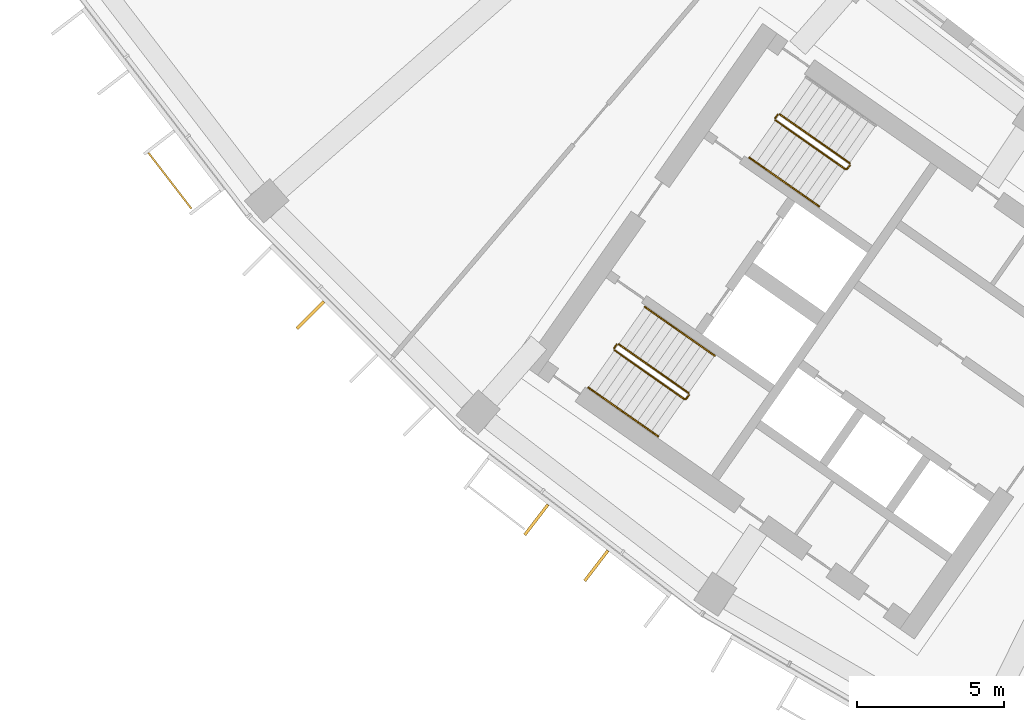
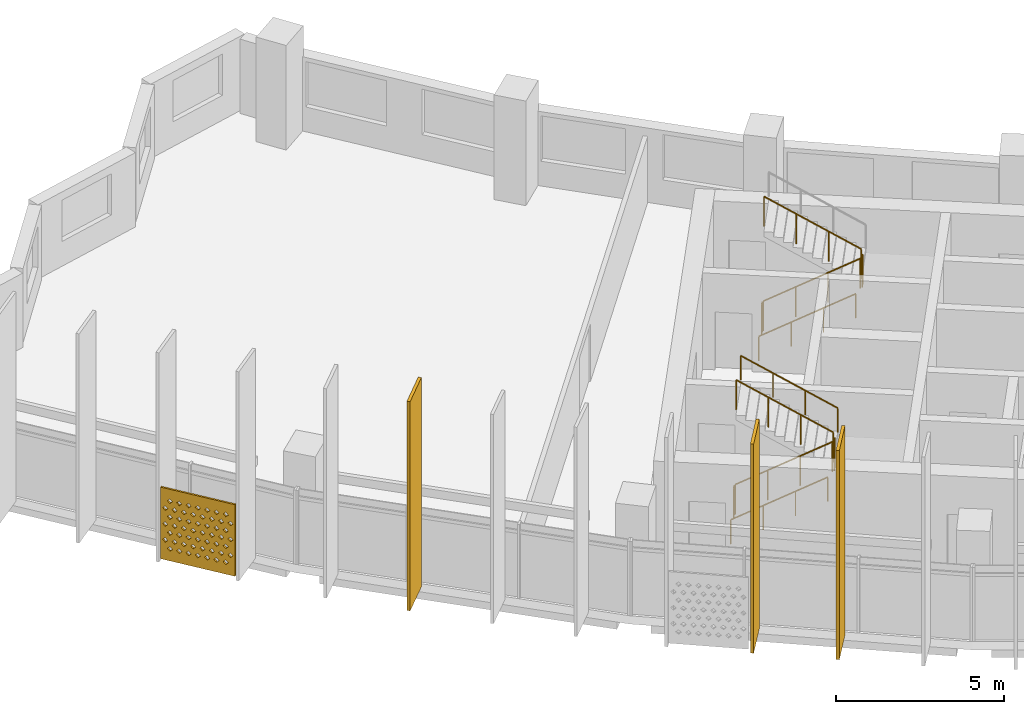
# One storey, part 23 of 28: 9 railings, 4 shading devices.
"""IFC4 building model written with IfcOpenShell, lengths in metres."""

from ifc_helpers import new_model, si_unit, direction, frame, origin, origin_2d, place, context, subcontext, project, spatial, polyline, rectangle, circle, outline, extrude, material, material_profile, profile_set, type_object, element, save


model = new_model("IFC4")

# Units and contexts
model_context = context("Model", 3, precision=1e-05, world=origin(), true_north=direction((0.0, 1.0)))
body_context = subcontext(model_context, "Body", "Model", "MODEL_VIEW")
ifc_project = project(units=[si_unit("LENGTHUNIT", "METRE"), si_unit("AREAUNIT", "SQUARE_METRE"), si_unit("VOLUMEUNIT", "CUBIC_METRE"), si_unit("PLANEANGLEUNIT", "RADIAN"), si_unit("MASSUNIT", "GRAM", prefix="KILO")], contexts=[model_context])

# Site, building, storey
site_placement = place(None, origin())
site = spatial("IfcSite", under=ifc_project, at=site_placement, CompositionType="ELEMENT")
building_placement = place(site_placement, origin())
building = spatial("IfcBuilding", under=site, at=building_placement, Name="Qamariyya Broadcast Tower", CompositionType="ELEMENT")
storey_placement = place(building_placement, frame((0.0, 0.0, 226.5)))
storey = spatial("IfcBuildingStorey", under=building, at=storey_placement, Name="L54", CompositionType="ELEMENT", Elevation=226.5)

# Shading device
ifc_material_1 = material(Name="Perforated glazed terracotta", Category="masonry")
ifc_material_profile_1 = material_profile(ifc_material_1, outline(polyline([(-1.199951171875, -1.300048828125), (1.199951171875, -1.300048828125), (1.199951171875, 1.300048828125), (-1.199951171875, 1.300048828125), (-1.199951171875, -1.300048828125)]), holes=[polyline([(-0.81494140625, -0.86669921875), (-0.89990234375, -0.78173828125), (-0.985107421875, -0.86669921875), (-0.89990234375, -0.95166015625), (-0.81494140625, -0.86669921875)]), polyline([(-0.514892578125, -0.86669921875), (-0.60009765625, -0.78173828125), (-0.68505859375, -0.86669921875), (-0.60009765625, -0.95166015625), (-0.514892578125, -0.86669921875)]), polyline([(-0.215087890625, -0.86669921875), (-0.300048828125, -0.78173828125), (-0.385009765625, -0.86669921875), (-0.300048828125, -0.95166015625), (-0.215087890625, -0.86669921875)]), polyline([(0.0849609375, -0.86669921875), (0.0, -0.78173828125), (-0.0849609375, -0.86669921875), (0.0, -0.95166015625), (0.0849609375, -0.86669921875)]), polyline([(0.385009765625, -0.86669921875), (0.300048828125, -0.78173828125), (0.215087890625, -0.86669921875), (0.300048828125, -0.95166015625), (0.385009765625, -0.86669921875)]), polyline([(0.68505859375, -0.86669921875), (0.60009765625, -0.78173828125), (0.514892578125, -0.86669921875), (0.60009765625, -0.95166015625), (0.68505859375, -0.86669921875)]), polyline([(0.985107421875, -0.86669921875), (0.89990234375, -0.78173828125), (0.81494140625, -0.86669921875), (0.89990234375, -0.95166015625), (0.985107421875, -0.86669921875)]), polyline([(-0.965087890625, -0.577880859375), (-1.050048828125, -0.49267578125), (-1.135009765625, -0.577880859375), (-1.050048828125, -0.662841796875), (-0.965087890625, -0.577880859375)]), polyline([(-0.6650390625, -0.577880859375), (-0.75, -0.49267578125), (-0.8349609375, -0.577880859375), (-0.75, -0.662841796875), (-0.6650390625, -0.577880859375)]), polyline([(-0.364990234375, -0.577880859375), (-0.449951171875, -0.49267578125), (-0.534912109375, -0.577880859375), (-0.449951171875, -0.662841796875), (-0.364990234375, -0.577880859375)]), polyline([(-0.06494140625, -0.577880859375), (-0.14990234375, -0.49267578125), (-0.235107421875, -0.577880859375), (-0.14990234375, -0.662841796875), (-0.06494140625, -0.577880859375)]), polyline([(0.235107421875, -0.577880859375), (0.14990234375, -0.49267578125), (0.06494140625, -0.577880859375), (0.14990234375, -0.662841796875), (0.235107421875, -0.577880859375)]), polyline([(0.534912109375, -0.577880859375), (0.449951171875, -0.49267578125), (0.364990234375, -0.577880859375), (0.449951171875, -0.662841796875), (0.534912109375, -0.577880859375)]), polyline([(0.8349609375, -0.577880859375), (0.75, -0.49267578125), (0.6650390625, -0.577880859375), (0.75, -0.662841796875), (0.8349609375, -0.577880859375)]), polyline([(1.135009765625, -0.577880859375), (1.050048828125, -0.49267578125), (0.965087890625, -0.577880859375), (1.050048828125, -0.662841796875), (1.135009765625, -0.577880859375)]), polyline([(-0.81494140625, -0.288818359375), (-0.89990234375, -0.203857421875), (-0.985107421875, -0.288818359375), (-0.89990234375, -0.373779296875), (-0.81494140625, -0.288818359375)]), polyline([(-0.514892578125, -0.288818359375), (-0.60009765625, -0.203857421875), (-0.68505859375, -0.288818359375), (-0.60009765625, -0.373779296875), (-0.514892578125, -0.288818359375)]), polyline([(-0.215087890625, -0.288818359375), (-0.300048828125, -0.203857421875), (-0.385009765625, -0.288818359375), (-0.300048828125, -0.373779296875), (-0.215087890625, -0.288818359375)]), polyline([(0.0849609375, -0.288818359375), (0.0, -0.203857421875), (-0.0849609375, -0.288818359375), (0.0, -0.373779296875), (0.0849609375, -0.288818359375)]), polyline([(0.385009765625, -0.288818359375), (0.300048828125, -0.203857421875), (0.215087890625, -0.288818359375), (0.300048828125, -0.373779296875), (0.385009765625, -0.288818359375)]), polyline([(0.68505859375, -0.288818359375), (0.60009765625, -0.203857421875), (0.514892578125, -0.288818359375), (0.60009765625, -0.373779296875), (0.68505859375, -0.288818359375)]), polyline([(0.985107421875, -0.288818359375), (0.89990234375, -0.203857421875), (0.81494140625, -0.288818359375), (0.89990234375, -0.373779296875), (0.985107421875, -0.288818359375)]), polyline([(-0.965087890625, 0.0), (-1.050048828125, 0.0849609375), (-1.135009765625, 0.0), (-1.050048828125, -0.0849609375), (-0.965087890625, 0.0)]), polyline([(-0.6650390625, 0.0), (-0.75, 0.0849609375), (-0.8349609375, 0.0), (-0.75, -0.0849609375), (-0.6650390625, 0.0)]), polyline([(-0.364990234375, 0.0), (-0.449951171875, 0.0849609375), (-0.534912109375, 0.0), (-0.449951171875, -0.0849609375), (-0.364990234375, 0.0)]), polyline([(-0.06494140625, 0.0), (-0.14990234375, 0.0849609375), (-0.235107421875, 0.0), (-0.14990234375, -0.0849609375), (-0.06494140625, 0.0)]), polyline([(0.235107421875, 0.0), (0.14990234375, 0.0849609375), (0.06494140625, 0.0), (0.14990234375, -0.0849609375), (0.235107421875, 0.0)]), polyline([(0.534912109375, 0.0), (0.449951171875, 0.0849609375), (0.364990234375, 0.0), (0.449951171875, -0.0849609375), (0.534912109375, 0.0)]), polyline([(0.8349609375, 0.0), (0.75, 0.0849609375), (0.6650390625, 0.0), (0.75, -0.0849609375), (0.8349609375, 0.0)]), polyline([(1.135009765625, 0.0), (1.050048828125, 0.0849609375), (0.965087890625, 0.0), (1.050048828125, -0.0849609375), (1.135009765625, 0.0)]), polyline([(-0.81494140625, 0.288818359375), (-0.89990234375, 0.373779296875), (-0.985107421875, 0.288818359375), (-0.89990234375, 0.203857421875), (-0.81494140625, 0.288818359375)]), polyline([(-0.514892578125, 0.288818359375), (-0.60009765625, 0.373779296875), (-0.68505859375, 0.288818359375), (-0.60009765625, 0.203857421875), (-0.514892578125, 0.288818359375)]), polyline([(-0.215087890625, 0.288818359375), (-0.300048828125, 0.373779296875), (-0.385009765625, 0.288818359375), (-0.300048828125, 0.203857421875), (-0.215087890625, 0.288818359375)]), polyline([(0.0849609375, 0.288818359375), (0.0, 0.373779296875), (-0.0849609375, 0.288818359375), (0.0, 0.203857421875), (0.0849609375, 0.288818359375)]), polyline([(0.385009765625, 0.288818359375), (0.300048828125, 0.373779296875), (0.215087890625, 0.288818359375), (0.300048828125, 0.203857421875), (0.385009765625, 0.288818359375)]), polyline([(0.68505859375, 0.288818359375), (0.60009765625, 0.373779296875), (0.514892578125, 0.288818359375), (0.60009765625, 0.203857421875), (0.68505859375, 0.288818359375)]), polyline([(0.985107421875, 0.288818359375), (0.89990234375, 0.373779296875), (0.81494140625, 0.288818359375), (0.89990234375, 0.203857421875), (0.985107421875, 0.288818359375)]), polyline([(-0.965087890625, 0.577880859375), (-1.050048828125, 0.662841796875), (-1.135009765625, 0.577880859375), (-1.050048828125, 0.49267578125), (-0.965087890625, 0.577880859375)]), polyline([(-0.6650390625, 0.577880859375), (-0.75, 0.662841796875), (-0.8349609375, 0.577880859375), (-0.75, 0.49267578125), (-0.6650390625, 0.577880859375)]), polyline([(-0.364990234375, 0.577880859375), (-0.449951171875, 0.662841796875), (-0.534912109375, 0.577880859375), (-0.449951171875, 0.49267578125), (-0.364990234375, 0.577880859375)]), polyline([(-0.06494140625, 0.577880859375), (-0.14990234375, 0.662841796875), (-0.235107421875, 0.577880859375), (-0.14990234375, 0.49267578125), (-0.06494140625, 0.577880859375)]), polyline([(0.235107421875, 0.577880859375), (0.14990234375, 0.662841796875), (0.06494140625, 0.577880859375), (0.14990234375, 0.49267578125), (0.235107421875, 0.577880859375)]), polyline([(0.534912109375, 0.577880859375), (0.449951171875, 0.662841796875), (0.364990234375, 0.577880859375), (0.449951171875, 0.49267578125), (0.534912109375, 0.577880859375)]), polyline([(0.8349609375, 0.577880859375), (0.75, 0.662841796875), (0.6650390625, 0.577880859375), (0.75, 0.49267578125), (0.8349609375, 0.577880859375)]), polyline([(1.135009765625, 0.577880859375), (1.050048828125, 0.662841796875), (0.965087890625, 0.577880859375), (1.050048828125, 0.49267578125), (1.135009765625, 0.577880859375)]), polyline([(-0.81494140625, 0.86669921875), (-0.89990234375, 0.95166015625), (-0.985107421875, 0.86669921875), (-0.89990234375, 0.78173828125), (-0.81494140625, 0.86669921875)]), polyline([(-0.514892578125, 0.86669921875), (-0.60009765625, 0.95166015625), (-0.68505859375, 0.86669921875), (-0.60009765625, 0.78173828125), (-0.514892578125, 0.86669921875)]), polyline([(-0.215087890625, 0.86669921875), (-0.300048828125, 0.95166015625), (-0.385009765625, 0.86669921875), (-0.300048828125, 0.78173828125), (-0.215087890625, 0.86669921875)]), polyline([(0.0849609375, 0.86669921875), (0.0, 0.95166015625), (-0.0849609375, 0.86669921875), (0.0, 0.78173828125), (0.0849609375, 0.86669921875)]), polyline([(0.385009765625, 0.86669921875), (0.300048828125, 0.95166015625), (0.215087890625, 0.86669921875), (0.300048828125, 0.78173828125), (0.385009765625, 0.86669921875)]), polyline([(0.68505859375, 0.86669921875), (0.60009765625, 0.95166015625), (0.514892578125, 0.86669921875), (0.60009765625, 0.78173828125), (0.68505859375, 0.86669921875)]), polyline([(0.985107421875, 0.86669921875), (0.89990234375, 0.95166015625), (0.81494140625, 0.86669921875), (0.89990234375, 0.78173828125), (0.985107421875, 0.86669921875)])]))
ifc_profile_set_1 = profile_set([ifc_material_profile_1], Name="Perforated glazed terracotta")
shading_device_type_1 = type_object("IfcShadingDeviceType", Name="Perforated terracotta screen 2400 x 2600", PredefinedType="USERDEFINED", material=ifc_profile_set_1)
shading_device_placement = place(storey_placement, frame((-61.727294921875, -50.5615234375, 1.35009765625), z_axis=(-0.792623989105, -0.60971076085, 0.0), x_axis=(0.60971076085, -0.792623989105, 0.0)))
element("IfcShadingDevice", 1, at=shading_device_placement, inside=storey, type_object=shading_device_type_1, Name="e-scr-L54-01-2", ObjectType="SCREEN", PredefinedType="USERDEFINED", context=body_context, shape_type="SweptSolid", body=[
    extrude(outline(polyline([(-1.199951171875, -1.300048828125), (1.199951171875, -1.300048828125), (1.199951171875, 1.300048828125), (-1.199951171875, 1.300048828125), (-1.199951171875, -1.300048828125)]), holes=[polyline([(-0.81494140625, -0.86669921875), (-0.89990234375, -0.78173828125), (-0.985107421875, -0.86669921875), (-0.89990234375, -0.95166015625), (-0.81494140625, -0.86669921875)]), polyline([(-0.514892578125, -0.86669921875), (-0.60009765625, -0.78173828125), (-0.68505859375, -0.86669921875), (-0.60009765625, -0.95166015625), (-0.514892578125, -0.86669921875)]), polyline([(-0.215087890625, -0.86669921875), (-0.300048828125, -0.78173828125), (-0.385009765625, -0.86669921875), (-0.300048828125, -0.95166015625), (-0.215087890625, -0.86669921875)]), polyline([(0.0849609375, -0.86669921875), (0.0, -0.78173828125), (-0.0849609375, -0.86669921875), (0.0, -0.95166015625), (0.0849609375, -0.86669921875)]), polyline([(0.385009765625, -0.86669921875), (0.300048828125, -0.78173828125), (0.215087890625, -0.86669921875), (0.300048828125, -0.95166015625), (0.385009765625, -0.86669921875)]), polyline([(0.68505859375, -0.86669921875), (0.60009765625, -0.78173828125), (0.514892578125, -0.86669921875), (0.60009765625, -0.95166015625), (0.68505859375, -0.86669921875)]), polyline([(0.985107421875, -0.86669921875), (0.89990234375, -0.78173828125), (0.81494140625, -0.86669921875), (0.89990234375, -0.95166015625), (0.985107421875, -0.86669921875)]), polyline([(-0.965087890625, -0.577880859375), (-1.050048828125, -0.49267578125), (-1.135009765625, -0.577880859375), (-1.050048828125, -0.662841796875), (-0.965087890625, -0.577880859375)]), polyline([(-0.6650390625, -0.577880859375), (-0.75, -0.49267578125), (-0.8349609375, -0.577880859375), (-0.75, -0.662841796875), (-0.6650390625, -0.577880859375)]), polyline([(-0.364990234375, -0.577880859375), (-0.449951171875, -0.49267578125), (-0.534912109375, -0.577880859375), (-0.449951171875, -0.662841796875), (-0.364990234375, -0.577880859375)]), polyline([(-0.06494140625, -0.577880859375), (-0.14990234375, -0.49267578125), (-0.235107421875, -0.577880859375), (-0.14990234375, -0.662841796875), (-0.06494140625, -0.577880859375)]), polyline([(0.235107421875, -0.577880859375), (0.14990234375, -0.49267578125), (0.06494140625, -0.577880859375), (0.14990234375, -0.662841796875), (0.235107421875, -0.577880859375)]), polyline([(0.534912109375, -0.577880859375), (0.449951171875, -0.49267578125), (0.364990234375, -0.577880859375), (0.449951171875, -0.662841796875), (0.534912109375, -0.577880859375)]), polyline([(0.8349609375, -0.577880859375), (0.75, -0.49267578125), (0.6650390625, -0.577880859375), (0.75, -0.662841796875), (0.8349609375, -0.577880859375)]), polyline([(1.135009765625, -0.577880859375), (1.050048828125, -0.49267578125), (0.965087890625, -0.577880859375), (1.050048828125, -0.662841796875), (1.135009765625, -0.577880859375)]), polyline([(-0.81494140625, -0.288818359375), (-0.89990234375, -0.203857421875), (-0.985107421875, -0.288818359375), (-0.89990234375, -0.373779296875), (-0.81494140625, -0.288818359375)]), polyline([(-0.514892578125, -0.288818359375), (-0.60009765625, -0.203857421875), (-0.68505859375, -0.288818359375), (-0.60009765625, -0.373779296875), (-0.514892578125, -0.288818359375)]), polyline([(-0.215087890625, -0.288818359375), (-0.300048828125, -0.203857421875), (-0.385009765625, -0.288818359375), (-0.300048828125, -0.373779296875), (-0.215087890625, -0.288818359375)]), polyline([(0.0849609375, -0.288818359375), (0.0, -0.203857421875), (-0.0849609375, -0.288818359375), (0.0, -0.373779296875), (0.0849609375, -0.288818359375)]), polyline([(0.385009765625, -0.288818359375), (0.300048828125, -0.203857421875), (0.215087890625, -0.288818359375), (0.300048828125, -0.373779296875), (0.385009765625, -0.288818359375)]), polyline([(0.68505859375, -0.288818359375), (0.60009765625, -0.203857421875), (0.514892578125, -0.288818359375), (0.60009765625, -0.373779296875), (0.68505859375, -0.288818359375)]), polyline([(0.985107421875, -0.288818359375), (0.89990234375, -0.203857421875), (0.81494140625, -0.288818359375), (0.89990234375, -0.373779296875), (0.985107421875, -0.288818359375)]), polyline([(-0.965087890625, 0.0), (-1.050048828125, 0.0849609375), (-1.135009765625, 0.0), (-1.050048828125, -0.0849609375), (-0.965087890625, 0.0)]), polyline([(-0.6650390625, 0.0), (-0.75, 0.0849609375), (-0.8349609375, 0.0), (-0.75, -0.0849609375), (-0.6650390625, 0.0)]), polyline([(-0.364990234375, 0.0), (-0.449951171875, 0.0849609375), (-0.534912109375, 0.0), (-0.449951171875, -0.0849609375), (-0.364990234375, 0.0)]), polyline([(-0.06494140625, 0.0), (-0.14990234375, 0.0849609375), (-0.235107421875, 0.0), (-0.14990234375, -0.0849609375), (-0.06494140625, 0.0)]), polyline([(0.235107421875, 0.0), (0.14990234375, 0.0849609375), (0.06494140625, 0.0), (0.14990234375, -0.0849609375), (0.235107421875, 0.0)]), polyline([(0.534912109375, 0.0), (0.449951171875, 0.0849609375), (0.364990234375, 0.0), (0.449951171875, -0.0849609375), (0.534912109375, 0.0)]), polyline([(0.8349609375, 0.0), (0.75, 0.0849609375), (0.6650390625, 0.0), (0.75, -0.0849609375), (0.8349609375, 0.0)]), polyline([(1.135009765625, 0.0), (1.050048828125, 0.0849609375), (0.965087890625, 0.0), (1.050048828125, -0.0849609375), (1.135009765625, 0.0)]), polyline([(-0.81494140625, 0.288818359375), (-0.89990234375, 0.373779296875), (-0.985107421875, 0.288818359375), (-0.89990234375, 0.203857421875), (-0.81494140625, 0.288818359375)]), polyline([(-0.514892578125, 0.288818359375), (-0.60009765625, 0.373779296875), (-0.68505859375, 0.288818359375), (-0.60009765625, 0.203857421875), (-0.514892578125, 0.288818359375)]), polyline([(-0.215087890625, 0.288818359375), (-0.300048828125, 0.373779296875), (-0.385009765625, 0.288818359375), (-0.300048828125, 0.203857421875), (-0.215087890625, 0.288818359375)]), polyline([(0.0849609375, 0.288818359375), (0.0, 0.373779296875), (-0.0849609375, 0.288818359375), (0.0, 0.203857421875), (0.0849609375, 0.288818359375)]), polyline([(0.385009765625, 0.288818359375), (0.300048828125, 0.373779296875), (0.215087890625, 0.288818359375), (0.300048828125, 0.203857421875), (0.385009765625, 0.288818359375)]), polyline([(0.68505859375, 0.288818359375), (0.60009765625, 0.373779296875), (0.514892578125, 0.288818359375), (0.60009765625, 0.203857421875), (0.68505859375, 0.288818359375)]), polyline([(0.985107421875, 0.288818359375), (0.89990234375, 0.373779296875), (0.81494140625, 0.288818359375), (0.89990234375, 0.203857421875), (0.985107421875, 0.288818359375)]), polyline([(-0.965087890625, 0.577880859375), (-1.050048828125, 0.662841796875), (-1.135009765625, 0.577880859375), (-1.050048828125, 0.49267578125), (-0.965087890625, 0.577880859375)]), polyline([(-0.6650390625, 0.577880859375), (-0.75, 0.662841796875), (-0.8349609375, 0.577880859375), (-0.75, 0.49267578125), (-0.6650390625, 0.577880859375)]), polyline([(-0.364990234375, 0.577880859375), (-0.449951171875, 0.662841796875), (-0.534912109375, 0.577880859375), (-0.449951171875, 0.49267578125), (-0.364990234375, 0.577880859375)]), polyline([(-0.06494140625, 0.577880859375), (-0.14990234375, 0.662841796875), (-0.235107421875, 0.577880859375), (-0.14990234375, 0.49267578125), (-0.06494140625, 0.577880859375)]), polyline([(0.235107421875, 0.577880859375), (0.14990234375, 0.662841796875), (0.06494140625, 0.577880859375), (0.14990234375, 0.49267578125), (0.235107421875, 0.577880859375)]), polyline([(0.534912109375, 0.577880859375), (0.449951171875, 0.662841796875), (0.364990234375, 0.577880859375), (0.449951171875, 0.49267578125), (0.534912109375, 0.577880859375)]), polyline([(0.8349609375, 0.577880859375), (0.75, 0.662841796875), (0.6650390625, 0.577880859375), (0.75, 0.49267578125), (0.8349609375, 0.577880859375)]), polyline([(1.135009765625, 0.577880859375), (1.050048828125, 0.662841796875), (0.965087890625, 0.577880859375), (1.050048828125, 0.49267578125), (1.135009765625, 0.577880859375)]), polyline([(-0.81494140625, 0.86669921875), (-0.89990234375, 0.95166015625), (-0.985107421875, 0.86669921875), (-0.89990234375, 0.78173828125), (-0.81494140625, 0.86669921875)]), polyline([(-0.514892578125, 0.86669921875), (-0.60009765625, 0.95166015625), (-0.68505859375, 0.86669921875), (-0.60009765625, 0.78173828125), (-0.514892578125, 0.86669921875)]), polyline([(-0.215087890625, 0.86669921875), (-0.300048828125, 0.95166015625), (-0.385009765625, 0.86669921875), (-0.300048828125, 0.78173828125), (-0.215087890625, 0.86669921875)]), polyline([(0.0849609375, 0.86669921875), (0.0, 0.95166015625), (-0.0849609375, 0.86669921875), (0.0, 0.78173828125), (0.0849609375, 0.86669921875)]), polyline([(0.385009765625, 0.86669921875), (0.300048828125, 0.95166015625), (0.215087890625, 0.86669921875), (0.300048828125, 0.78173828125), (0.385009765625, 0.86669921875)]), polyline([(0.68505859375, 0.86669921875), (0.60009765625, 0.95166015625), (0.514892578125, 0.86669921875), (0.60009765625, 0.78173828125), (0.68505859375, 0.86669921875)]), polyline([(0.985107421875, 0.86669921875), (0.89990234375, 0.95166015625), (0.81494140625, 0.86669921875), (0.89990234375, 0.78173828125), (0.985107421875, 0.86669921875)])]), origin(), (0.0, 0.0, 1.0), 0.06005859375),
])

# Railings
ifc_material_2 = material(Name="Painted steel", Category="steel")
railing_type_1 = type_object("IfcRailingType", Name="Stair guard", PredefinedType="GUARDRAIL", material=ifc_material_2)
railing_1_placement = place(storey_placement, frame((-41.146728515625, -48.52490234375, 0.172607421875)))
element("IfcRailing", 2, at=railing_1_placement, inside=storey, type_object=railing_type_1, Name="L54 ST-W2 stair guard 1", PredefinedType="GUARDRAIL", context=body_context, shape_type="SweptSolid", body=[
    extrude(circle(Radius=0.02392578125, at=origin_2d()), frame((0.0, 0.0, 1.076171875), z_axis=(0.703770094002, -0.492783725636, 0.511734163933), x_axis=(0.573575343427, 0.819152809562, 0.0)), (0.0, 0.0, 1.0), 3.37548828125),
    extrude(circle(Radius=0.02392578125, at=origin_2d()), frame((2.37548828125, -1.663330078125, 2.80322265625), z_axis=(0.985059694769, 0.172213233351, 0.0), x_axis=(-0.172213233351, 0.985059694769, 0.0)), (0.0, 0.0, 1.0), 0.07080078125),
    extrude(circle(Radius=0.02392578125, at=origin_2d()), frame((2.4453125, -1.651123046875, 2.80322265625), z_axis=(0.572588637393, 0.819842821722, 0.0), x_axis=(-0.819842821722, 0.572588637393, 0.0)), (0.0, 0.0, 1.0), 0.150146484375),
    extrude(circle(Radius=0.02099609375, at=origin_2d()), origin(), (0.0, 0.0, 1.0), 1.052001953125),
    extrude(circle(Radius=0.02099609375, at=origin_2d()), frame((0.791748046875, -0.554443359375, 0.57568359375)), (0.0, 0.0, 1.0), 1.052001953125),
    extrude(circle(Radius=0.02099609375, at=origin_2d()), frame((1.583740234375, -1.10888671875, 1.151611328125)), (0.0, 0.0, 1.0), 1.052001953125),
    extrude(circle(Radius=0.02099609375, at=origin_2d()), frame((2.37548828125, -1.663330078125, 1.727294921875)), (0.0, 0.0, 1.0), 1.052001953125),
    extrude(circle(Radius=0.02099609375, at=origin_2d()), frame((2.4453125, -1.651123046875, 1.727294921875)), (0.0, 0.0, 1.0), 1.052001953125),
    extrude(circle(Radius=0.02099609375, at=origin_2d()), frame((2.53125, -1.528076171875, 1.727294921875)), (0.0, 0.0, 1.0), 1.052001953125),
])
railing_2_placement = place(storey_placement, frame((-38.627685546875, -49.9833984375, 2.07275390625)))
element("IfcRailing", 3, at=railing_2_placement, inside=storey, type_object=railing_type_1, Name="L54 ST-W2 stair guard 2", PredefinedType="GUARDRAIL", context=body_context, shape_type="SweptSolid", body=[
    extrude(circle(Radius=0.02392578125, at=origin_2d()), frame((0.0, 0.0, 1.076171875), z_axis=(-0.703770094002, 0.492783725636, 0.511734163933), x_axis=(-0.573575343427, -0.819152809562, 0.0)), (0.0, 0.0, 1.0), 3.37548828125),
    extrude(circle(Radius=0.02099609375, at=origin_2d()), origin(), (0.0, 0.0, 1.0), 1.052001953125),
    extrude(circle(Radius=0.02099609375, at=origin_2d()), frame((-0.791748046875, 0.554443359375, 0.57568359375)), (0.0, 0.0, 1.0), 1.052001953125),
    extrude(circle(Radius=0.02099609375, at=origin_2d()), frame((-1.583740234375, 1.10888671875, 1.151611328125)), (0.0, 0.0, 1.0), 1.052001953125),
    extrude(circle(Radius=0.02099609375, at=origin_2d()), frame((-2.37548828125, 1.663330078125, 1.727294921875)), (0.0, 0.0, 1.0), 1.052001953125),
])
railing_3_placement = place(storey_placement, frame((-41.158935546875, -48.455322265625, 0.0)))
element("IfcRailing", 4, at=railing_3_placement, inside=storey, type_object=railing_type_1, Name="L54 ST-W2 stair guard 3", PredefinedType="GUARDRAIL", context=body_context, shape_type="SweptSolid", body=[
    extrude(circle(Radius=0.02392578125, at=origin_2d()), frame((0.0, 0.0, 1.076171875), z_axis=(0.572588637393, 0.819842821722, 0.0), x_axis=(-0.819842821722, 0.572588637393, 0.0)), (0.0, 0.0, 1.0), 0.150146484375),
    extrude(circle(Radius=0.02099609375, at=origin_2d()), origin(), (0.0, 0.0, 1.0), 1.052001953125),
    extrude(circle(Radius=0.02099609375, at=origin_2d()), frame((0.0859375, 0.123046875, 0.0)), (0.0, 0.0, 1.0), 1.052001953125),
])
railing_4_placement = place(storey_placement, frame((-46.624267578125, -56.34765625, 0.172607421875)))
element("IfcRailing", 5, at=railing_4_placement, inside=storey, type_object=railing_type_1, Name="L54 ST-W1 stair guard 1", PredefinedType="GUARDRAIL", context=body_context, shape_type="SweptSolid", body=[
    extrude(circle(Radius=0.02392578125, at=origin_2d()), frame((0.0, 0.0, 1.076171875), z_axis=(0.703745009021, -0.492838488332, 0.511715923826), x_axis=(0.573631830683, 0.819113253969, 0.0)), (0.0, 0.0, 1.0), 3.37548828125),
    extrude(circle(Radius=0.02392578125, at=origin_2d()), frame((2.37548828125, -1.66357421875, 2.80322265625), z_axis=(0.984363469884, 0.176149252506, 0.0), x_axis=(-0.176149252506, 0.984363469884, 0.0)), (0.0, 0.0, 1.0), 0.07080078125),
    extrude(circle(Radius=0.02392578125, at=origin_2d()), frame((2.445068359375, -1.651123046875, 2.80322265625), z_axis=(0.574444878118, 0.818543268254, 0.0), x_axis=(-0.818543268254, 0.574444878118, 0.0)), (0.0, 0.0, 1.0), 0.150146484375),
    extrude(circle(Radius=0.02099609375, at=origin_2d()), origin(), (0.0, 0.0, 1.0), 1.052001953125),
    extrude(circle(Radius=0.02099609375, at=origin_2d()), frame((0.791748046875, -0.554443359375, 0.57568359375)), (0.0, 0.0, 1.0), 1.052001953125),
    extrude(circle(Radius=0.02099609375, at=origin_2d()), frame((1.583740234375, -1.109130859375, 1.151611328125)), (0.0, 0.0, 1.0), 1.052001953125),
    extrude(circle(Radius=0.02099609375, at=origin_2d()), frame((2.37548828125, -1.66357421875, 1.727294921875)), (0.0, 0.0, 1.0), 1.052001953125),
    extrude(circle(Radius=0.02099609375, at=origin_2d()), frame((2.445068359375, -1.651123046875, 1.727294921875)), (0.0, 0.0, 1.0), 1.052001953125),
    extrude(circle(Radius=0.02099609375, at=origin_2d()), frame((2.53125, -1.5283203125, 1.727294921875)), (0.0, 0.0, 1.0), 1.052001953125),
])
railing_5_placement = place(storey_placement, frame((-44.10546875, -57.806396484375, 2.07275390625)))
element("IfcRailing", 6, at=railing_5_placement, inside=storey, type_object=railing_type_1, Name="L54 ST-W1 stair guard 2", PredefinedType="GUARDRAIL", context=body_context, shape_type="SweptSolid", body=[
    extrude(circle(Radius=0.02392578125, at=origin_2d()), frame((0.0, 0.0, 1.076171875), z_axis=(-0.703770094002, 0.492783725636, 0.511734163933), x_axis=(-0.573575343427, -0.819152809562, 0.0)), (0.0, 0.0, 1.0), 3.37548828125),
    extrude(circle(Radius=0.02099609375, at=origin_2d()), origin(), (0.0, 0.0, 1.0), 1.052001953125),
    extrude(circle(Radius=0.02099609375, at=origin_2d()), frame((-0.791748046875, 0.554443359375, 0.57568359375)), (0.0, 0.0, 1.0), 1.052001953125),
    extrude(circle(Radius=0.02099609375, at=origin_2d()), frame((-1.583740234375, 1.10888671875, 1.151611328125)), (0.0, 0.0, 1.0), 1.052001953125),
    extrude(circle(Radius=0.02099609375, at=origin_2d()), frame((-2.37548828125, 1.663330078125, 1.727294921875)), (0.0, 0.0, 1.0), 1.052001953125),
])
railing_6_placement = place(storey_placement, frame((-46.63671875, -56.278076171875, 0.0)))
element("IfcRailing", 7, at=railing_6_placement, inside=storey, type_object=railing_type_1, Name="L54 ST-W1 stair guard 3", PredefinedType="GUARDRAIL", context=body_context, shape_type="SweptSolid", body=[
    extrude(circle(Radius=0.02392578125, at=origin_2d()), frame((0.0, 0.0, 1.076171875), z_axis=(0.574444878118, 0.818543268254, 0.0), x_axis=(-0.818543268254, 0.574444878118, 0.0)), (0.0, 0.0, 1.0), 0.150146484375),
    extrude(circle(Radius=0.02099609375, at=origin_2d()), origin(), (0.0, 0.0, 1.0), 1.052001953125),
    extrude(circle(Radius=0.02099609375, at=origin_2d()), frame((0.086181640625, 0.122802734375, 0.0)), (0.0, 0.0, 1.0), 1.052001953125),
])
ifc_material_3 = material(Name="Stainless steel", Category="steel")
railing_type_2 = type_object("IfcRailingType", Name="Stair handrail", PredefinedType="HANDRAIL", material=ifc_material_3)
railing_7_placement = place(storey_placement, frame((-42.03564453125, -49.79443359375, 0.172607421875)))
element("IfcRailing", 8, at=railing_7_placement, inside=storey, type_object=railing_type_2, Name="L54 ST-W2 stair handrail 1", PredefinedType="HANDRAIL", context=body_context, shape_type="SweptSolid", body=[
    extrude(circle(Radius=0.02392578125, at=origin_2d()), frame((0.0, 0.0, 0.8759765625), z_axis=(0.703745009021, -0.492838488332, 0.511715923826), x_axis=(0.573631830683, 0.819113253969, 0.0)), (0.0, 0.0, 1.0), 3.37548828125),
    extrude(circle(Radius=0.02099609375, at=origin_2d()), origin(), (0.0, 0.0, 1.0), 0.851806640625),
    extrude(circle(Radius=0.02099609375, at=origin_2d()), frame((0.791748046875, -0.554443359375, 0.57568359375)), (0.0, 0.0, 1.0), 0.851806640625),
    extrude(circle(Radius=0.02099609375, at=origin_2d()), frame((1.583740234375, -1.109130859375, 1.151611328125)), (0.0, 0.0, 1.0), 0.851806640625),
    extrude(circle(Radius=0.02099609375, at=origin_2d()), frame((2.37548828125, -1.66357421875, 1.727294921875)), (0.0, 0.0, 1.0), 0.851806640625),
])
railing_8_placement = place(storey_placement, frame((-47.513427734375, -57.617431640625, 0.172607421875)))
element("IfcRailing", 9, at=railing_8_placement, inside=storey, type_object=railing_type_2, Name="L54 ST-W1 stair handrail 1", PredefinedType="HANDRAIL", context=body_context, shape_type="SweptSolid", body=[
    extrude(circle(Radius=0.02392578125, at=origin_2d()), frame((0.0, 0.0, 0.8759765625), z_axis=(0.703770094002, -0.492783725636, 0.511734163933), x_axis=(0.573575343427, 0.819152809562, 0.0)), (0.0, 0.0, 1.0), 3.37548828125),
    extrude(circle(Radius=0.02099609375, at=origin_2d()), origin(), (0.0, 0.0, 1.0), 0.851806640625),
    extrude(circle(Radius=0.02099609375, at=origin_2d()), frame((0.791748046875, -0.554443359375, 0.57568359375)), (0.0, 0.0, 1.0), 0.851806640625),
    extrude(circle(Radius=0.02099609375, at=origin_2d()), frame((1.583740234375, -1.10888671875, 1.151611328125)), (0.0, 0.0, 1.0), 0.851806640625),
    extrude(circle(Radius=0.02099609375, at=origin_2d()), frame((2.37548828125, -1.663330078125, 1.727294921875)), (0.0, 0.0, 1.0), 0.851806640625),
])
railing_9_placement = place(storey_placement, frame((-43.21630859375, -56.53662109375, 2.07275390625)))
element("IfcRailing", 10, at=railing_9_placement, inside=storey, type_object=railing_type_2, Name="L54 ST-W1 stair handrail 2", PredefinedType="HANDRAIL", context=body_context, shape_type="SweptSolid", body=[
    extrude(circle(Radius=0.02392578125, at=origin_2d()), frame((0.0, 0.0, 0.8759765625), z_axis=(-0.703770094002, 0.492783725636, 0.511734163933), x_axis=(-0.573575343427, -0.819152809562, 0.0)), (0.0, 0.0, 1.0), 3.37548828125),
    extrude(circle(Radius=0.02099609375, at=origin_2d()), origin(), (0.0, 0.0, 1.0), 0.851806640625),
    extrude(circle(Radius=0.02099609375, at=origin_2d()), frame((-0.791748046875, 0.554443359375, 0.57568359375)), (0.0, 0.0, 1.0), 0.851806640625),
    extrude(circle(Radius=0.02099609375, at=origin_2d()), frame((-1.583740234375, 1.10888671875, 1.151611328125)), (0.0, 0.0, 1.0), 0.851806640625),
    extrude(circle(Radius=0.02099609375, at=origin_2d()), frame((-2.37548828125, 1.663330078125, 1.727294921875)), (0.0, 0.0, 1.0), 0.851806640625),
])

# Shading devices
ifc_material_4 = material(Name="Glazed terracotta", Category="masonry")
ifc_material_profile_2 = material_profile(ifc_material_4, rectangle(XDim=1.300048828125, YDim=0.10009765625, at=origin_2d()))
ifc_profile_set_2 = profile_set([ifc_material_profile_2], Name="Glazed terracotta")
shading_device_type_2 = type_object("IfcShadingDeviceType", Name="Terracotta fin 100 x 1300", PredefinedType="USERDEFINED", material=ifc_profile_set_2)
for number, where, z_axis, x_axis, name in (
    (11, (-56.969970703125, -55.151123046875, 0.0), (0.0, 0.0, 1.0), (-0.707106781187, -0.707106781187, 0.0), "e-fin-L54-02-1"),
    (12, (-49.283935546875, -62.115478515625, 0.0), (0.0, 0.0, 1.0), (-0.608761429009, -0.793353340291, 0.0), "e-fin-L54-03-1"),
    (13, (-47.243408203125, -63.68115234375, 0.0), (0.0, 0.0, 1.0), (-0.608761429009, -0.793353340291, 0.0), "e-fin-L54-03-2"),
):
    element("IfcShadingDevice", number, at=place(storey_placement, frame(where, z_axis=z_axis, x_axis=x_axis)), inside=storey, type_object=shading_device_type_2, Name=name, ObjectType="FIN", PredefinedType="USERDEFINED", context=body_context, shape_type="SweptSolid", body=[
        extrude(rectangle(XDim=1.300048828125, YDim=0.10009765625, at=origin_2d()), origin(), (0.0, 0.0, 1.0), 7.60009765625),
    ])

save(model, "model.ifc")
